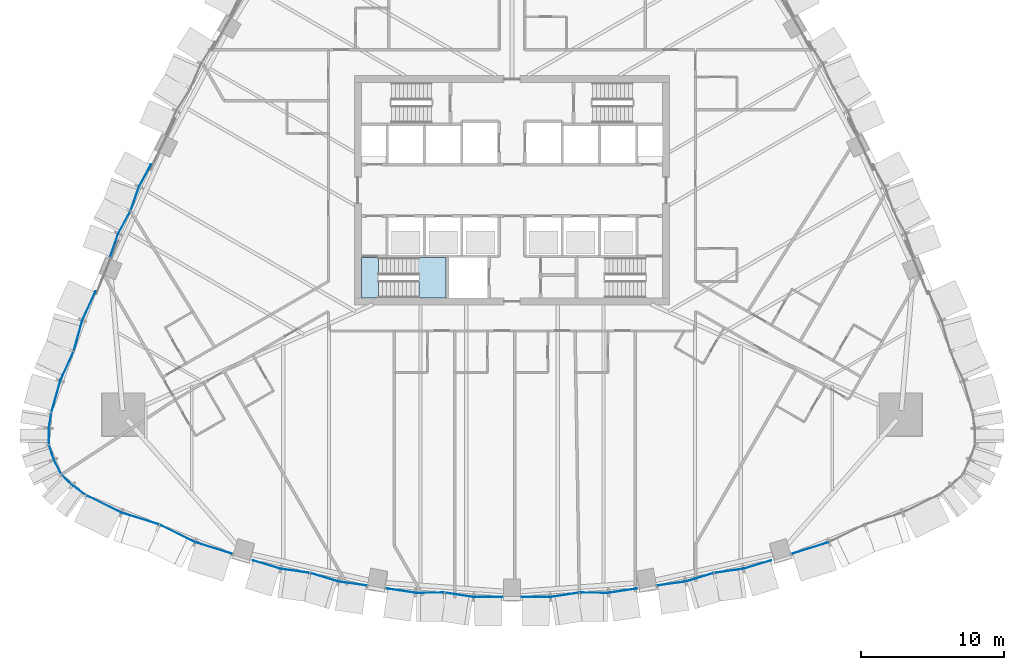
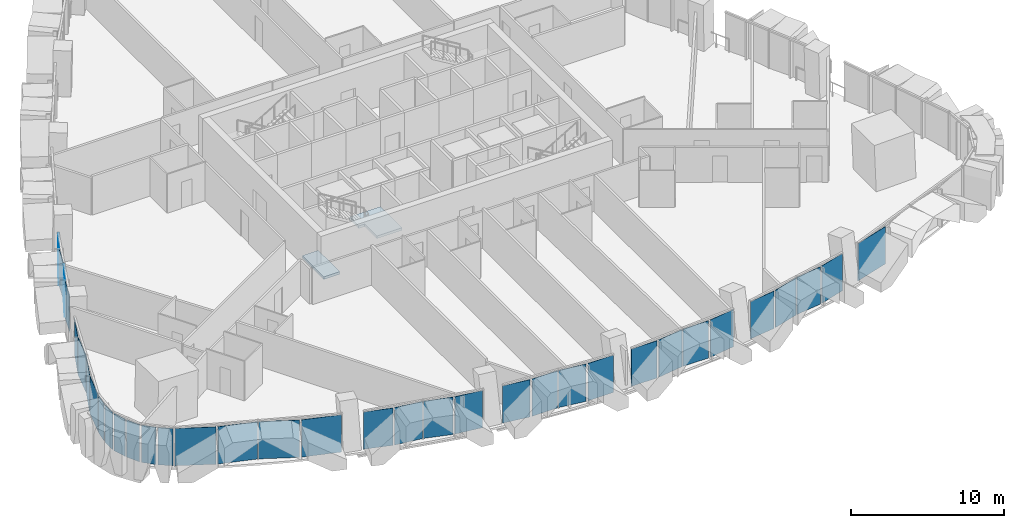
# One storey, part 10 of 23: 35 plates, 2 slabs, 12 elements without a shape of their own.
"""IFC4 building model written with IfcOpenShell, lengths in metres."""

from ifc_helpers import new_model, si_unit, direction, frame, origin, place, context, subcontext, project, spatial, polyline, outline, extrude, material, layer, layer_set, type_object, element, aggregate, save


model = new_model("IFC4")

# Units and contexts
model_context = context("Model", 3, precision=1e-05, world=origin(), true_north=direction((0.0, 1.0)))
body_context = subcontext(model_context, "Body", "Model", "MODEL_VIEW")
ifc_project = project(units=[si_unit("LENGTHUNIT", "METRE"), si_unit("AREAUNIT", "SQUARE_METRE"), si_unit("VOLUMEUNIT", "CUBIC_METRE"), si_unit("PLANEANGLEUNIT", "RADIAN"), si_unit("MASSUNIT", "GRAM", prefix="KILO")], contexts=[model_context])

# Site, building, storey
site_placement = place(None, origin())
site = spatial("IfcSite", under=ifc_project, at=site_placement, CompositionType="ELEMENT")
building_placement = place(site_placement, origin())
building = spatial("IfcBuilding", under=site, at=building_placement, Name="Sierra Prisma Convention Tower", CompositionType="ELEMENT")
storey_placement = place(building_placement, frame((0.0, 0.0, 51.699951171875)))
storey = spatial("IfcBuildingStorey", under=building, at=storey_placement, Name="L08", CompositionType="ELEMENT", Elevation=51.699951171875)

# Curtain wall, plates
ifc_material_1 = material(Name="Aluminium and glass curtain wall", Category="aluminium")
ifc_layer_1 = layer(ifc_material_1, 0.179931640625)
ifc_layer_set_1 = layer_set([ifc_layer_1], Name="CW-2 Faceted crystal curtain wall")
curtain_wall_type = type_object("IfcCurtainWallType", Name="CW-2 Faceted crystal curtain wall", PredefinedType="NOTDEFINED", material=ifc_layer_set_1)
curtain_wall_1_placement = place(storey_placement, origin())
curtain_wall_1 = element("IfcCurtainWall", 1, at=curtain_wall_1_placement, inside=storey, type_object=curtain_wall_type, Name="CW-2 S1 L08", PredefinedType="NOTDEFINED")
ifc_material_2 = material(Name="Tinted glass bronze-grey IGU", Category="glass")
ifc_layer_2 = layer(ifc_material_2, 0.028076171875)
ifc_layer_set_2 = layer_set([ifc_layer_2], Name="CW-2 crystal pane")
plate_type = type_object("IfcPlateType", Name="CW-2 crystal pane", PredefinedType="CURTAIN_PANEL", material=ifc_layer_set_2)
plate_1_placement = place(storey_placement, frame((-29.6865234375, -21.284423828125, 0.0), z_axis=(-0.44373710137, -0.896157009049, 0.0), x_axis=(0.896157009049, -0.44373710137, 0.0)))
plate_1 = element("IfcPlate", 2, at=plate_1_placement, type_object=plate_type, Name="CW-2 pane S1.1.1", PredefinedType="CURTAIN_PANEL", context=body_context, shape_type="SweptSolid", body=[
    extrude(outline(polyline([(0.0, 0.0), (2.6711823976751337, 0.0), (2.6711823976751337, 2.97998046875), (0.0, 2.97998046875), (0.0, 0.0)])), origin(), (0.0, 0.0, -1.0), 0.028076171875),
])
plate_2_placement = place(storey_placement, frame((-24.62255859375, -23.31396484375, 0.0), z_axis=(-0.298046003871, -0.954551507032, 0.0), x_axis=(-0.954551507032, 0.298046003871, 0.0)))
plate_2 = element("IfcPlate", 3, at=plate_2_placement, type_object=plate_type, Name="CW-2 pane S1.1.2", PredefinedType="CURTAIN_PANEL", context=body_context, shape_type="SweptSolid", body=[
    extrude(outline(polyline([(0.0, 0.0), (2.671207021011381, 0.0), (2.671207021011381, -2.97998046875), (0.0, -2.97998046875), (0.0, 0.0)])), origin(), (0.0, 0.0, -1.0), 0.028076171875),
])
plate_3_placement = place(storey_placement, frame((-24.5576171875, -23.340087890625, 0.0), z_axis=(-0.44373710137, -0.896157009049, 0.0), x_axis=(0.896157009049, -0.44373710137, 0.0)))
plate_3 = element("IfcPlate", 4, at=plate_3_placement, type_object=plate_type, Name="CW-2 pane S1.2.1", PredefinedType="CURTAIN_PANEL", context=body_context, shape_type="SweptSolid", body=[
    extrude(outline(polyline([(0.0, 0.0), (2.6711823976751337, 0.0), (2.6711823976751337, 2.97998046875), (0.0, 2.97998046875), (0.0, 0.0)])), origin(), (0.0, 0.0, -1.0), 0.028076171875),
])
plate_4_placement = place(storey_placement, frame((-19.49365234375, -25.36962890625, 0.0), z_axis=(-0.298046003871, -0.954551507032, 0.0), x_axis=(-0.954551507032, 0.298046003871, 0.0)))
plate_4 = element("IfcPlate", 5, at=plate_4_placement, type_object=plate_type, Name="CW-2 pane S1.2.2", PredefinedType="CURTAIN_PANEL", context=body_context, shape_type="SweptSolid", body=[
    extrude(outline(polyline([(0.0, 0.0), (2.671207021011381, 0.0), (2.671207021011381, -2.97998046875), (0.0, -2.97998046875), (0.0, 0.0)])), origin(), (0.0, 0.0, -1.0), 0.028076171875),
])
aggregate(curtain_wall_1, [plate_1, plate_2, plate_3, plate_4])

curtain_wall_2_placement = place(storey_placement, origin())
curtain_wall_2 = element("IfcCurtainWall", 6, at=curtain_wall_2_placement, inside=storey, type_object=curtain_wall_type, Name="CW-2 S2 L08", PredefinedType="NOTDEFINED")
plate_5_placement = place(storey_placement, frame((-18.075927734375, -25.820068359375, 0.0), z_axis=(-0.291369267649, -0.95661065741, 0.0), x_axis=(0.95661065741, -0.291369267649, 0.0)))
plate_5 = element("IfcPlate", 7, at=plate_5_placement, type_object=plate_type, Name="CW-2 pane S2.1.1", PredefinedType="CURTAIN_PANEL", context=body_context, shape_type="SweptSolid", body=[
    extrude(outline(polyline([(0.0, 0.0), (1.9648941367269654, 0.0), (1.9648941367269654, 2.9799804687500004), (0.0, 2.9799804687500004), (0.0, 0.0)])), origin(), (0.0, 0.0, -1.0), 0.028076171875),
])
plate_6_placement = place(storey_placement, frame((-14.1240234375, -26.69189453125, 0.0), z_axis=(-0.138184692968, -0.990406477477, 0.0), x_axis=(-0.990406477477, 0.138184692968, 0.0)))
plate_6 = element("IfcPlate", 8, at=plate_6_placement, type_object=plate_type, Name="CW-2 pane S2.1.2", PredefinedType="CURTAIN_PANEL", context=body_context, shape_type="SweptSolid", body=[
    extrude(outline(polyline([(0.0, 0.0), (1.9646486826357152, 0.0), (1.9646486826357152, -2.9799804687500004), (0.0, -2.9799804687500004), (0.0, 0.0)])), origin(), (0.0, 0.0, -1.0), 0.028076171875),
])
plate_7_placement = place(storey_placement, frame((-14.0556640625, -26.70703125, 0.0), z_axis=(-0.291369267649, -0.95661065741, 0.0), x_axis=(0.95661065741, -0.291369267649, 0.0)))
plate_7 = element("IfcPlate", 9, at=plate_7_placement, type_object=plate_type, Name="CW-2 pane S2.2.1", PredefinedType="CURTAIN_PANEL", context=body_context, shape_type="SweptSolid", body=[
    extrude(outline(polyline([(0.0, 0.0), (1.9648941367269654, 0.0), (1.9648941367269654, 2.9799804687500004), (0.0, 2.9799804687500004), (0.0, 0.0)])), origin(), (0.0, 0.0, -1.0), 0.028076171875),
])
plate_8_placement = place(storey_placement, frame((-10.103759765625, -27.578857421875, 0.0), z_axis=(-0.138184692968, -0.990406477477, 0.0), x_axis=(-0.990406477477, 0.138184692968, 0.0)))
plate_8 = element("IfcPlate", 10, at=plate_8_placement, type_object=plate_type, Name="CW-2 pane S2.2.2", PredefinedType="CURTAIN_PANEL", context=body_context, shape_type="SweptSolid", body=[
    extrude(outline(polyline([(0.0, 0.0), (1.9646486826357152, 0.0), (1.9646486826357152, -2.9799804687500004), (0.0, -2.9799804687500004), (0.0, 0.0)])), origin(), (0.0, 0.0, -1.0), 0.028076171875),
])
aggregate(curtain_wall_2, [plate_5, plate_6, plate_7, plate_8])

curtain_wall_3_placement = place(storey_placement, origin())
curtain_wall_3 = element("IfcCurtainWall", 11, at=curtain_wall_3_placement, inside=storey, type_object=curtain_wall_type, Name="CW-2 S3 L08", PredefinedType="NOTDEFINED")
plate_9_placement = place(storey_placement, frame((-8.717041015625, -27.78564453125, 0.0), z_axis=(-0.149920876894, -0.988697997708, 0.0), x_axis=(0.988697997708, -0.149920876894, 0.0)))
plate_9 = element("IfcPlate", 12, at=plate_9_placement, type_object=plate_type, Name="CW-2 pane S3.1.1", PredefinedType="CURTAIN_PANEL", context=body_context, shape_type="SweptSolid", body=[
    extrude(outline(polyline([(0.0, 0.0), (1.9411280872163943, 0.0), (1.9411280872163943, 2.97998046875), (0.0, 2.97998046875), (0.0, 0.0)])), origin(), (0.0, 0.0, -1.0), 0.028076171875),
])
plate_10_placement = place(storey_placement, frame((-4.7275390625, -28.0732421875, 0.0), z_axis=(0.006539917992, -0.999978614508, 0.0), x_axis=(-0.999978614508, -0.006539917992, 0.0)))
plate_10 = element("IfcPlate", 13, at=plate_10_placement, type_object=plate_type, Name="CW-2 pane S3.1.2", PredefinedType="CURTAIN_PANEL", context=body_context, shape_type="SweptSolid", body=[
    extrude(outline(polyline([(0.0, 0.0), (1.9412036229702108, 0.0), (1.9412036229702108, -2.97998046875), (0.0, -2.97998046875), (0.0, 0.0)])), origin(), (0.0, 0.0, -1.0), 0.028076171875),
])
plate_11_placement = place(storey_placement, frame((-4.65771484375, -28.078125, 0.0), z_axis=(-0.150043819066, -0.988679347595, 0.0), x_axis=(0.988679347595, -0.150043819066, 0.0)))
plate_11 = element("IfcPlate", 14, at=plate_11_placement, type_object=plate_type, Name="CW-2 pane S3.2.1", PredefinedType="CURTAIN_PANEL", context=body_context, shape_type="SweptSolid", body=[
    extrude(outline(polyline([(0.0, 0.0), (1.9411647040007107, 0.0), (1.9411647040007107, 2.97998046875), (0.0, 2.97998046875), (0.0, 0.0)])), origin(), (0.0, 0.0, -1.0), 0.028076171875),
])
plate_12_placement = place(storey_placement, frame((-0.668212890625, -28.36572265625, 0.0), z_axis=(0.00666568011, -0.999977784108, 0.0), x_axis=(-0.999977784108, -0.00666568011, 0.0)))
plate_12 = element("IfcPlate", 15, at=plate_12_placement, type_object=plate_type, Name="CW-2 pane S3.2.2", PredefinedType="CURTAIN_PANEL", context=body_context, shape_type="SweptSolid", body=[
    extrude(outline(polyline([(0.0, 0.0), (1.9412052349817044, 0.0), (1.9412052349817044, -2.97998046875), (0.0, -2.97998046875), (0.0, 0.0)])), origin(), (0.0, 0.0, -1.0), 0.028076171875),
])
aggregate(curtain_wall_3, [plate_9, plate_10, plate_11, plate_12])

curtain_wall_4_placement = place(storey_placement, origin())
curtain_wall_4 = element("IfcCurtainWall", 16, at=curtain_wall_4_placement, inside=storey, type_object=curtain_wall_type, Name="CW-2 S4 L08", PredefinedType="NOTDEFINED")
plate_13_placement = place(storey_placement, frame((0.668212890625, -28.36572265625, 0.0), z_axis=(-0.00666568011, -0.999977784108, 0.0), x_axis=(0.999977784108, -0.00666568011, 0.0)))
plate_13 = element("IfcPlate", 17, at=plate_13_placement, type_object=plate_type, Name="CW-2 pane S4.1.1", PredefinedType="CURTAIN_PANEL", context=body_context, shape_type="SweptSolid", body=[
    extrude(outline(polyline([(0.0, 0.0), (1.9412052349817044, 0.0), (1.9412052349817044, 2.97998046875), (0.0, 2.97998046875), (0.0, 0.0)])), origin(), (0.0, 0.0, -1.0), 0.028076171875),
])
plate_14_placement = place(storey_placement, frame((4.65771484375, -28.078125, 0.0), z_axis=(0.150043819066, -0.988679347595, 0.0), x_axis=(-0.988679347595, -0.150043819066, 0.0)))
plate_14 = element("IfcPlate", 18, at=plate_14_placement, type_object=plate_type, Name="CW-2 pane S4.1.2", PredefinedType="CURTAIN_PANEL", context=body_context, shape_type="SweptSolid", body=[
    extrude(outline(polyline([(0.0, 0.0), (1.9411647040007107, 0.0), (1.9411647040007107, -2.97998046875), (0.0, -2.97998046875), (0.0, 0.0)])), origin(), (0.0, 0.0, -1.0), 0.028076171875),
])
plate_15_placement = place(storey_placement, frame((4.7275390625, -28.0732421875, 0.0), z_axis=(-0.006539917992, -0.999978614508, 0.0), x_axis=(0.999978614508, -0.006539917992, 0.0)))
plate_15 = element("IfcPlate", 19, at=plate_15_placement, type_object=plate_type, Name="CW-2 pane S4.2.1", PredefinedType="CURTAIN_PANEL", context=body_context, shape_type="SweptSolid", body=[
    extrude(outline(polyline([(0.0, 0.0), (1.9412036229702108, 0.0), (1.9412036229702108, 2.97998046875), (0.0, 2.97998046875), (0.0, 0.0)])), origin(), (0.0, 0.0, -1.0), 0.028076171875),
])
plate_16_placement = place(storey_placement, frame((8.717041015625, -27.78564453125, 0.0), z_axis=(0.149920876894, -0.988697997708, 0.0), x_axis=(-0.988697997708, -0.149920876894, 0.0)))
plate_16 = element("IfcPlate", 20, at=plate_16_placement, type_object=plate_type, Name="CW-2 pane S4.2.2", PredefinedType="CURTAIN_PANEL", context=body_context, shape_type="SweptSolid", body=[
    extrude(outline(polyline([(0.0, 0.0), (1.9411280872163943, 0.0), (1.9411280872163943, -2.97998046875), (0.0, -2.97998046875), (0.0, 0.0)])), origin(), (0.0, 0.0, -1.0), 0.028076171875),
])
aggregate(curtain_wall_4, [plate_13, plate_14, plate_15, plate_16])

curtain_wall_5_placement = place(storey_placement, origin())
curtain_wall_5 = element("IfcCurtainWall", 21, at=curtain_wall_5_placement, inside=storey, type_object=curtain_wall_type, Name="CW-2 S5 L08", PredefinedType="NOTDEFINED")
plate_17_placement = place(storey_placement, frame((10.103759765625, -27.578857421875, 0.0), z_axis=(0.138184692968, -0.990406477477, 0.0), x_axis=(0.990406477477, 0.138184692968, 0.0)))
plate_17 = element("IfcPlate", 22, at=plate_17_placement, type_object=plate_type, Name="CW-2 pane S5.1.1", PredefinedType="CURTAIN_PANEL", context=body_context, shape_type="SweptSolid", body=[
    extrude(outline(polyline([(0.0, 0.0), (1.9646486826357152, 0.0), (1.9646486826357152, 2.9799804687500004), (0.0, 2.9799804687500004), (0.0, 0.0)])), origin(), (0.0, 0.0, -1.0), 0.028076171875),
])
plate_18_placement = place(storey_placement, frame((14.0556640625, -26.70703125, 0.0), z_axis=(0.291369267649, -0.95661065741, 0.0), x_axis=(-0.95661065741, -0.291369267649, 0.0)))
plate_18 = element("IfcPlate", 23, at=plate_18_placement, type_object=plate_type, Name="CW-2 pane S5.1.2", PredefinedType="CURTAIN_PANEL", context=body_context, shape_type="SweptSolid", body=[
    extrude(outline(polyline([(0.0, 0.0), (1.9648941367269654, 0.0), (1.9648941367269654, -2.9799804687500004), (0.0, -2.9799804687500004), (0.0, 0.0)])), origin(), (0.0, 0.0, -1.0), 0.028076171875),
])
plate_19_placement = place(storey_placement, frame((14.1240234375, -26.69189453125, 0.0), z_axis=(0.138184692968, -0.990406477477, 0.0), x_axis=(0.990406477477, 0.138184692968, 0.0)))
plate_19 = element("IfcPlate", 24, at=plate_19_placement, type_object=plate_type, Name="CW-2 pane S5.2.1", PredefinedType="CURTAIN_PANEL", context=body_context, shape_type="SweptSolid", body=[
    extrude(outline(polyline([(0.0, 0.0), (1.9646486826357152, 0.0), (1.9646486826357152, 2.9799804687500004), (0.0, 2.9799804687500004), (0.0, 0.0)])), origin(), (0.0, 0.0, -1.0), 0.028076171875),
])
plate_20_placement = place(storey_placement, frame((18.075927734375, -25.820068359375, 0.0), z_axis=(0.291369267649, -0.95661065741, 0.0), x_axis=(-0.95661065741, -0.291369267649, 0.0)))
plate_20 = element("IfcPlate", 25, at=plate_20_placement, type_object=plate_type, Name="CW-2 pane S5.2.2", PredefinedType="CURTAIN_PANEL", context=body_context, shape_type="SweptSolid", body=[
    extrude(outline(polyline([(0.0, 0.0), (1.9648941367269654, 0.0), (1.9648941367269654, -2.9799804687500004), (0.0, -2.9799804687500004), (0.0, 0.0)])), origin(), (0.0, 0.0, -1.0), 0.028076171875),
])
aggregate(curtain_wall_5, [plate_17, plate_18, plate_19, plate_20])

# Curtain wall, plate
curtain_wall_6_placement = place(storey_placement, origin())
curtain_wall_6 = element("IfcCurtainWall", 26, at=curtain_wall_6_placement, inside=storey, type_object=curtain_wall_type, Name="CW-2 S6 L08", PredefinedType="NOTDEFINED")
plate_21_placement = place(storey_placement, frame((19.493896484375, -25.36962890625, 0.0), z_axis=(0.298046003871, -0.954551507032, 0.0), x_axis=(0.954551507032, 0.298046003871, 0.0)))
plate_21 = element("IfcPlate", 27, at=plate_21_placement, type_object=plate_type, Name="CW-2 pane S6.1.1", PredefinedType="CURTAIN_PANEL", context=body_context, shape_type="SweptSolid", body=[
    extrude(outline(polyline([(0.0, 0.0), (2.671207021011381, 0.0), (2.671207021011381, 2.97998046875), (0.0, 2.97998046875), (0.0, 0.0)])), origin(), (0.0, 0.0, -1.0), 0.028076171875),
])
aggregate(curtain_wall_6, [plate_21])

# Curtain wall, plates
curtain_wall_7_placement = place(storey_placement, origin())
curtain_wall_7 = element("IfcCurtainWall", 28, at=curtain_wall_7_placement, inside=storey, type_object=curtain_wall_type, Name="CW-2 NW5 L08", PredefinedType="NOTDEFINED")
plate_22_placement = place(storey_placement, frame((-25.18408203125, 1.802490234375, 0.0), z_axis=(-0.879561266563, 0.475785643291, 0.0), x_axis=(-0.475785643291, -0.879561266563, 0.0)))
plate_22 = element("IfcPlate", 29, at=plate_22_placement, type_object=plate_type, Name="CW-2 pane NW5.1.1", PredefinedType="CURTAIN_PANEL", context=body_context, shape_type="SweptSolid", body=[
    extrude(outline(polyline([(0.0, 0.0), (1.6917947230548864, 0.0), (1.6917947230548864, 2.9799804687499996), (0.0, 2.9799804687499996), (0.0, 0.0)])), origin(), (0.0, 0.0, -1.0), 0.028076171875),
])
plate_23_placement = place(storey_placement, frame((-26.603759765625, -1.399658203125, 0.0), z_axis=(-0.943163369357, 0.332329443028, 0.0), x_axis=(0.332329443028, 0.943163369357, 0.0)))
plate_23 = element("IfcPlate", 30, at=plate_23_placement, type_object=plate_type, Name="CW-2 pane NW5.1.2", PredefinedType="CURTAIN_PANEL", context=body_context, shape_type="SweptSolid", body=[
    extrude(outline(polyline([(0.0, 0.0), (1.691862912453691, 0.0), (1.691862912453691, -2.97998046875), (0.0, -2.97998046875), (0.0, 0.0)])), origin(), (0.0, 0.0, -1.0), 0.028076171875),
])
plate_24_placement = place(storey_placement, frame((-26.632080078125, -1.463623046875, 0.0), z_axis=(-0.879561266563, 0.475785643291, 0.0), x_axis=(-0.475785643291, -0.879561266563, 0.0)))
plate_24 = element("IfcPlate", 31, at=plate_24_placement, type_object=plate_type, Name="CW-2 pane NW5.2.1", PredefinedType="CURTAIN_PANEL", context=body_context, shape_type="SweptSolid", body=[
    extrude(outline(polyline([(0.0, 0.0), (1.6917947230548864, 0.0), (1.6917947230548864, 2.9799804687499996), (0.0, 2.9799804687499996), (0.0, 0.0)])), origin(), (0.0, 0.0, -1.0), 0.028076171875),
])
plate_25_placement = place(storey_placement, frame((-28.0517578125, -4.665771484375, 0.0), z_axis=(-0.943147428885, 0.332374679223, 0.0), x_axis=(0.332374679223, 0.943147428885, 0.0)))
plate_25 = element("IfcPlate", 32, at=plate_25_placement, type_object=plate_type, Name="CW-2 pane NW5.2.2", PredefinedType="CURTAIN_PANEL", context=body_context, shape_type="SweptSolid", body=[
    extrude(outline(polyline([(0.0, 0.0), (1.6916326499049452, 0.0), (1.6916326499049452, -2.97998046875), (0.0, -2.97998046875), (0.0, 0.0)])), origin(), (0.0, 0.0, -1.0), 0.028076171875),
])
aggregate(curtain_wall_7, [plate_22, plate_23, plate_24, plate_25])

curtain_wall_8_placement = place(storey_placement, origin())
curtain_wall_8 = element("IfcCurtainWall", 33, at=curtain_wall_8_placement, inside=storey, type_object=curtain_wall_type, Name="CW-2 NW6 L08", PredefinedType="NOTDEFINED")
plate_26_placement = place(storey_placement, frame((-29.055419921875, -7.04150390625, 0.0), z_axis=(-0.909674035522, 0.415322945546, 0.0), x_axis=(-0.415322945546, -0.909674035522, 0.0)))
plate_26 = element("IfcPlate", 34, at=plate_26_placement, type_object=plate_type, Name="CW-2 pane NW6.1.1", PredefinedType="CURTAIN_PANEL", context=body_context, shape_type="SweptSolid", body=[
    extrude(outline(polyline([(0.0, 0.0), (2.153233089972779, 0.0), (2.153233089972779, 2.97998046875), (0.0, 2.97998046875), (0.0, 0.0)])), origin(), (0.0, 0.0, -1.0), 0.028076171875),
])
plate_27_placement = place(storey_placement, frame((-30.571044921875, -11.196533203125, 0.0), z_axis=(-0.963438269611, 0.267930402623, 0.0), x_axis=(0.267930402623, 0.963438269611, 0.0)))
plate_27 = element("IfcPlate", 35, at=plate_27_placement, type_object=plate_type, Name="CW-2 pane NW6.1.2", PredefinedType="CURTAIN_PANEL", context=body_context, shape_type="SweptSolid", body=[
    extrude(outline(polyline([(0.0, 0.0), (2.1531871382518215, 0.0), (2.1531871382518215, -2.97998046875), (0.0, -2.97998046875), (0.0, 0.0)])), origin(), (0.0, 0.0, -1.0), 0.028076171875),
])
plate_28_placement = place(storey_placement, frame((-30.59521484375, -11.26220703125, 0.0), z_axis=(-0.909674035522, 0.415322945546, 0.0), x_axis=(-0.415322945546, -0.909674035522, 0.0)))
plate_28 = element("IfcPlate", 36, at=plate_28_placement, type_object=plate_type, Name="CW-2 pane NW6.2.1", PredefinedType="CURTAIN_PANEL", context=body_context, shape_type="SweptSolid", body=[
    extrude(outline(polyline([(0.0, 0.0), (2.153233089972779, 0.0), (2.153233089972779, 2.97998046875), (0.0, 2.97998046875), (0.0, 0.0)])), origin(), (0.0, 0.0, -1.0), 0.028076171875),
])
plate_29_placement = place(storey_placement, frame((-32.110595703125, -15.417236328125, 0.0), z_axis=(-0.963438269611, 0.267930402623, 0.0), x_axis=(0.267930402623, 0.963438269611, 0.0)))
plate_29 = element("IfcPlate", 37, at=plate_29_placement, type_object=plate_type, Name="CW-2 pane NW6.2.2", PredefinedType="CURTAIN_PANEL", context=body_context, shape_type="SweptSolid", body=[
    extrude(outline(polyline([(0.0, 0.0), (2.1531871382518215, 0.0), (2.1531871382518215, -2.97998046875), (0.0, -2.97998046875), (0.0, 0.0)])), origin(), (0.0, 0.0, -1.0), 0.028076171875),
])
aggregate(curtain_wall_8, [plate_26, plate_27, plate_28, plate_29])

curtain_wall_9_placement = place(storey_placement, origin())
curtain_wall_9 = element("IfcCurtainWall", 38, at=curtain_wall_9_placement, inside=storey, type_object=curtain_wall_type, Name="CW-2 SW1 L08", PredefinedType="NOTDEFINED")
plate_30_placement = place(storey_placement, frame((-32.140380859375, -15.552734375, 0.0), z_axis=(-0.98745753367, 0.157884828906, 0.0), x_axis=(-0.157884828906, -0.98745753367, 0.0)))
plate_30 = element("IfcPlate", 39, at=plate_30_placement, type_object=plate_type, Name="CW-2 pane SW1.1.1", PredefinedType="CURTAIN_PANEL", context=body_context, shape_type="SweptSolid", body=[
    extrude(outline(polyline([(0.0, 0.0), (0.9911917548367027, 0.0), (0.9911917548367027, 2.97998046875), (0.0, 2.97998046875), (0.0, 0.0)])), origin(), (0.0, 0.0, -1.0), 0.028076171875),
])
plate_31_placement = place(storey_placement, frame((-32.30908203125, -17.652099609375, 0.0), z_axis=(-0.999998514409, 0.00172371081, 0.0), x_axis=(0.00172371081, 0.999998514409, 0.0)))
plate_31 = element("IfcPlate", 40, at=plate_31_placement, type_object=plate_type, Name="CW-2 pane SW1.1.2", PredefinedType="CURTAIN_PANEL", context=body_context, shape_type="SweptSolid", body=[
    extrude(outline(polyline([(0.0, 0.0), (0.991456551023515, 0.0), (0.991456551023515, -2.97998046875), (0.0, -2.97998046875), (0.0, 0.0)])), origin(), (0.0, 0.0, -1.0), 0.028076171875),
])
aggregate(curtain_wall_9, [plate_30, plate_31])

curtain_wall_10_placement = place(storey_placement, origin())
curtain_wall_10 = element("IfcCurtainWall", 41, at=curtain_wall_10_placement, inside=storey, type_object=curtain_wall_type, Name="CW-2 SW2 L08", PredefinedType="NOTDEFINED")
plate_32_placement = place(storey_placement, frame((-32.287841796875, -17.786376953125, 0.0), z_axis=(-0.951525092145, -0.307571128388, 0.0), x_axis=(0.307571128388, -0.951525092145, 0.0)))
plate_32 = element("IfcPlate", 42, at=plate_32_placement, type_object=plate_type, Name="CW-2 pane SW2.1.1", PredefinedType="CURTAIN_PANEL", context=body_context, shape_type="SweptSolid", body=[
    extrude(outline(polyline([(0.0, 0.0), (0.9914182850112484, 0.0), (0.9914182850112484, 2.97998046875), (0.0, 2.97998046875), (0.0, 0.0)])), origin(), (0.0, 0.0, -1.0), 0.028076171875),
])
plate_33_placement = place(storey_placement, frame((-31.484619140625, -19.733154296875, 0.0), z_axis=(-0.891651472711, -0.452722488078, 0.0), x_axis=(-0.452722488078, 0.891651472711, 0.0)))
plate_33 = element("IfcPlate", 43, at=plate_33_placement, type_object=plate_type, Name="CW-2 pane SW2.1.2", PredefinedType="CURTAIN_PANEL", context=body_context, shape_type="SweptSolid", body=[
    extrude(outline(polyline([(0.0, 0.0), (0.9911821934332878, 0.0), (0.9911821934332878, -2.97998046875), (0.0, -2.97998046875), (0.0, 0.0)])), origin(), (0.0, 0.0, -1.0), 0.028076171875),
])
aggregate(curtain_wall_10, [plate_32, plate_33])

curtain_wall_11_placement = place(storey_placement, origin())
curtain_wall_11 = element("IfcCurtainWall", 44, at=curtain_wall_11_placement, inside=storey, type_object=curtain_wall_type, Name="CW-2 SW3 L08", PredefinedType="NOTDEFINED")
plate_34_placement = place(storey_placement, frame((-31.40478515625, -19.843505859375, 0.0), z_axis=(-0.707845273304, -0.706367516992, 0.0), x_axis=(0.706367516992, -0.707845273304, 0.0)))
plate_34 = element("IfcPlate", 45, at=plate_34_placement, type_object=plate_type, Name="CW-2 pane SW3.1.1", PredefinedType="CURTAIN_PANEL", context=body_context, shape_type="SweptSolid", body=[
    extrude(outline(polyline([(0.0, 0.0), (0.9912620493672433, 0.0), (0.9912620493672433, 2.97998046875), (0.0, 2.97998046875), (0.0, 0.0)])), origin(), (0.0, 0.0, -1.0), 0.028076171875),
])
plate_35_placement = place(storey_placement, frame((-29.8046875, -21.212890625, 0.0), z_axis=(-0.58866952219, -0.808373795744, 0.0), x_axis=(-0.808373795744, 0.58866952219, 0.0)))
plate_35 = element("IfcPlate", 46, at=plate_35_placement, type_object=plate_type, Name="CW-2 pane SW3.1.2", PredefinedType="CURTAIN_PANEL", context=body_context, shape_type="SweptSolid", body=[
    extrude(outline(polyline([(0.0, 0.0), (0.9912116590976436, 0.0), (0.9912116590976436, -2.97998046875), (0.0, -2.97998046875), (0.0, 0.0)])), origin(), (0.0, 0.0, -1.0), 0.028076171875),
])
aggregate(curtain_wall_11, [plate_34, plate_35])

# Stair, slab
ifc_material_3 = material(Name="Concrete C30/37", Category="concrete")
stair_type = type_object("IfcStairType", Name="Stair dog-leg 1200 RC", PredefinedType="HALF_TURN_STAIR", material=ifc_material_3)
stair_placement = place(storey_placement, origin())
stair = element("IfcStair", 47, at=stair_placement, inside=storey, type_object=stair_type, Name="L08 S1", PredefinedType="HALF_TURN_STAIR")
ifc_material_4 = material(Name="Concrete C35/45", Category="concrete")
ifc_layer_3 = layer(ifc_material_4, 0.199951171875)
ifc_layer_set_3 = layer_set([ifc_layer_3], Name="Stair landing slab")
slab_type = type_object("IfcSlabType", Name="Stair landing slab", PredefinedType="LANDING", material=ifc_layer_set_3)
slab_1_placement = place(storey_placement, frame((0.0, 0.0, 1.650146484375)))
slab_1 = element("IfcSlab", 48, at=slab_1_placement, type_object=slab_type, Name="S1 landing 1", PredefinedType="LANDING", context=body_context, shape_type="SweptSolid", body=[
    extrude(outline(polyline([(-4.60009765625, -4.699951171875), (-4.60009765625, -7.5), (-6.501953125, -7.5), (-6.501953125, -5.89990234375), (-6.949951171875, -5.89990234375), (-6.949951171875, -4.699951171875), (-4.60009765625, -4.699951171875)])), origin(), (0.0, 0.0, 1.0), 0.199951171875),
])
aggregate(stair, [slab_1])

# Slab
slab_2_placement = place(storey_placement, frame((0.0, 0.0, -0.199951171875)))
element("IfcSlab", 49, at=slab_2_placement, inside=storey, type_object=slab_type, Name="S1 floor landing L08", PredefinedType="LANDING", context=body_context, shape_type="SweptSolid", body=[
    extrude(outline(polyline([(-10.5, -7.5), (-9.298095703125, -7.5), (-9.298095703125, -4.699951171875), (-10.5, -4.699951171875), (-10.5, -7.5)])), origin(), (0.0, 0.0, 1.0), 0.199951171875),
])

save(model, "model.ifc")
